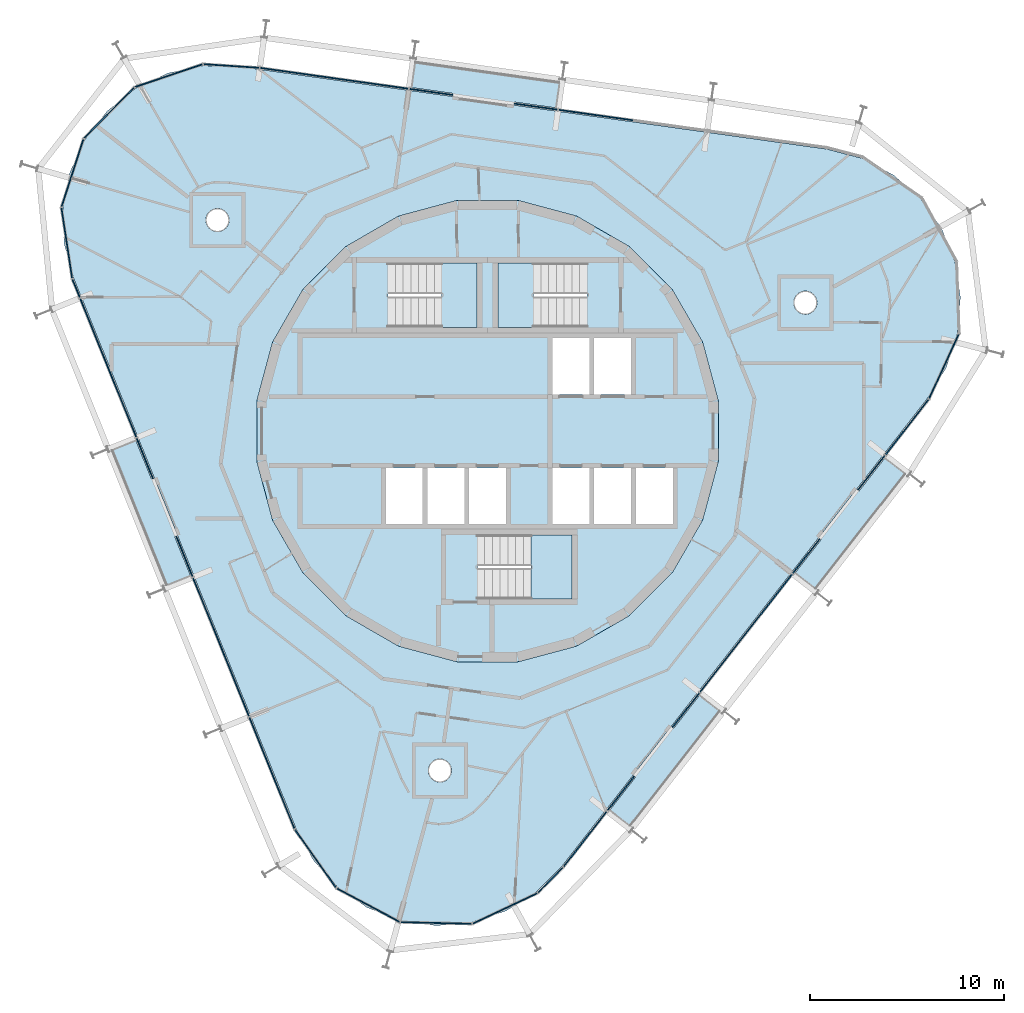
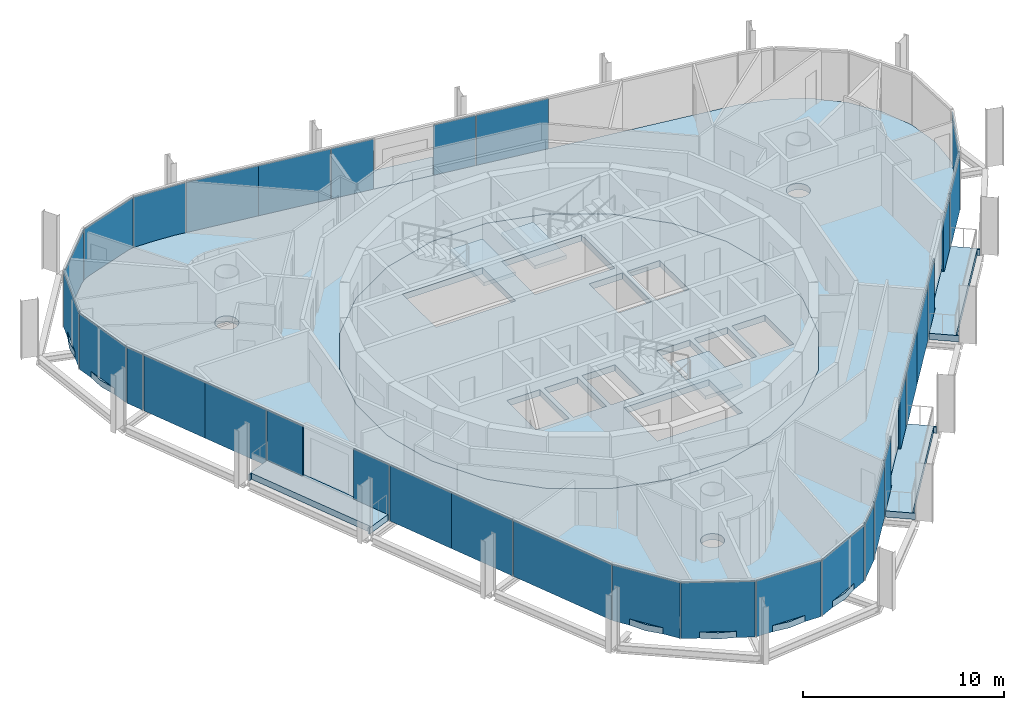
# One storey, part 8 of 15: 32 plates, 9 slabs, 9 elements without a shape of their own.
"""IFC4 building model written with IfcOpenShell, lengths in metres."""

from ifc_helpers import new_model, si_unit, direction, frame, origin, origin_2d, place, context, subcontext, project, spatial, polyline, rectangle, outline, extrude, material, layer, layer_set, type_object, element, aggregate, save


model = new_model("IFC4")

# Units and contexts
model_context = context("Model", 3, precision=1e-05, world=origin(), true_north=direction((0.0, 1.0)))
body_context = subcontext(model_context, "Body", "Model", "MODEL_VIEW")
ifc_project = project(units=[si_unit("LENGTHUNIT", "METRE"), si_unit("AREAUNIT", "SQUARE_METRE"), si_unit("VOLUMEUNIT", "CUBIC_METRE"), si_unit("PLANEANGLEUNIT", "RADIAN"), si_unit("MASSUNIT", "GRAM", prefix="KILO")], contexts=[model_context])

# Site, building, storey
site_placement = place(None, origin())
site = spatial("IfcSite", under=ifc_project, at=site_placement, CompositionType="ELEMENT")
building_placement = place(site_placement, origin())
building = spatial("IfcBuilding", under=site, at=building_placement, Name="Spindle Arch Residences", CompositionType="ELEMENT")
storey_placement = place(building_placement, frame((0.0, 0.0, 354.0)))
storey = spatial("IfcBuildingStorey", under=building, at=storey_placement, Name="L91", CompositionType="ELEMENT", Elevation=354.0)

# Slabs
ifc_material_1 = material(Name="Concrete C40/50", Category="concrete")
ifc_layer_1 = layer(ifc_material_1, 0.3798828125)
ifc_layer_set_1 = layer_set([ifc_layer_1], Name="Balcony slab 380")
slab_type_1 = type_object("IfcSlabType", Name="Balcony slab 380", PredefinedType="FLOOR", material=ifc_layer_set_1)
slab_1_placement = place(storey_placement, frame((0.0, 0.0, -0.3798828125)))
element("IfcSlab", 1, at=slab_1_placement, inside=storey, type_object=slab_type_1, Name="Balcony L91 bay 1", PredefinedType="FLOOR", context=body_context, shape_type="SweptSolid", body=[
    extrude(outline(polyline([(17.005615234375, -8.263916015625), (17.052001953125, -8.204833984375), (16.93359375, -8.1123046875), (21.530029296875, -2.2294921875), (21.648193359375, -2.32177734375), (21.6943359375, -2.2626953125), (20.520263671875, -1.34521484375), (19.160888671875, -3.085205078125), (19.034912109375, -2.986572265625), (17.064697265625, -5.50830078125), (17.19091796875, -5.606689453125), (15.83154296875, -7.346435546875), (17.005615234375, -8.263916015625)])), origin(), (0.0, 0.0, 1.0), 0.3798828125),
])
slab_2_placement = place(storey_placement, frame((0.0, 0.0, -0.3798828125)))
element("IfcSlab", 2, at=slab_2_placement, inside=storey, type_object=slab_type_1, Name="Balcony L91 bay 7", PredefinedType="FLOOR", context=body_context, shape_type="SweptSolid", body=[
    extrude(outline(polyline([(3.780517578125, 18.138916015625), (3.706298828125, 18.149169921875), (3.685302734375, 18.000732421875), (-3.70751953125, 19.039794921875), (-3.686767578125, 19.188232421875), (-3.760986328125, 19.19873046875), (-3.96826171875, 17.72314453125), (-1.781982421875, 17.416015625), (-1.80419921875, 17.257568359375), (1.364501953125, 16.81201171875), (1.38671875, 16.970458984375), (3.5732421875, 16.663330078125), (3.780517578125, 18.138916015625)])), origin(), (0.0, 0.0, 1.0), 0.3798828125),
])
slab_3_placement = place(storey_placement, frame((0.0, 0.0, -0.3798828125)))
element("IfcSlab", 3, at=slab_3_placement, inside=storey, type_object=slab_type_1, Name="Balcony L91 bay 13", PredefinedType="FLOOR", context=body_context, shape_type="SweptSolid", body=[
    extrude(outline(polyline([(-19.538330078125, -0.995361328125), (-19.51025390625, -1.06494140625), (-19.37109375, -1.008544921875), (-16.574462890625, -7.9306640625), (-16.713623046875, -7.98681640625), (-16.685302734375, -8.056396484375), (-15.303955078125, -7.498291015625), (-16.130859375, -5.451171875), (-15.982666015625, -5.391357421875), (-17.181396484375, -2.42431640625), (-17.32958984375, -2.484130859375), (-18.15673828125, -0.437255859375), (-19.538330078125, -0.995361328125)])), origin(), (0.0, 0.0, 1.0), 0.3798828125),
])
slab_4_placement = place(storey_placement, frame((0.0, 0.0, -0.3798828125)))
element("IfcSlab", 4, at=slab_4_placement, inside=storey, type_object=slab_type_1, Name="Balcony L91 bay 19", PredefinedType="FLOOR", context=body_context, shape_type="SweptSolid", body=[
    extrude(outline(polyline([(7.44384765625, -20.50244140625), (7.489990234375, -20.443359375), (7.371826171875, -20.35107421875), (11.968017578125, -14.46826171875), (12.086181640625, -14.560546875), (12.13232421875, -14.50146484375), (10.958251953125, -13.583984375), (9.59912109375, -15.32373046875), (9.472900390625, -15.225341796875), (7.5029296875, -17.7470703125), (7.62890625, -17.845458984375), (6.269775390625, -19.585205078125), (7.44384765625, -20.50244140625)])), origin(), (0.0, 0.0, 1.0), 0.3798828125),
])
ifc_material_2 = material(Name="Concrete C50/60", Category="concrete")
ifc_layer_2 = layer(ifc_material_2, 0.3798828125)
ifc_layer_set_2 = layer_set([ifc_layer_2], Name="Core floor slab 380")
slab_type_2 = type_object("IfcSlabType", Name="Core floor slab 380", PredefinedType="FLOOR", material=ifc_layer_set_2)
slab_5_placement = place(storey_placement, frame((0.0, 0.0, -0.3798828125)))
element("IfcSlab", 5, at=slab_5_placement, inside=storey, type_object=slab_type_2, Name="Core floor L91", PredefinedType="FLOOR", context=body_context, shape_type="SweptSolid", body=[
    extrude(outline(polyline([(1.56640625, -11.897216796875), (4.59228515625, -11.086669921875), (7.30517578125, -9.520263671875), (9.520263671875, -7.30517578125), (11.086669921875, -4.59228515625), (11.897216796875, -1.56640625), (11.897216796875, 1.56640625), (11.086669921875, 4.59228515625), (9.520263671875, 7.30517578125), (7.30517578125, 9.520263671875), (4.59228515625, 11.086669921875), (1.56640625, 11.897216796875), (-1.56640625, 11.897216796875), (-4.59228515625, 11.086669921875), (-7.30517578125, 9.520263671875), (-9.520263671875, 7.30517578125), (-11.086669921875, 4.59228515625), (-11.897216796875, 1.56640625), (-11.897216796875, -1.56640625), (-11.086669921875, -4.59228515625), (-9.520263671875, -7.30517578125), (-7.30517578125, -9.520263671875), (-4.59228515625, -11.086669921875), (-1.56640625, -11.897216796875), (1.56640625, -11.897216796875)]), holes=[polyline([(3.35009765625, 1.89990234375), (5.25, 1.89990234375), (5.25, 4.800048828125), (3.35009765625, 4.800048828125), (3.35009765625, 1.89990234375)]), polyline([(5.5, 1.89990234375), (7.39990234375, 1.89990234375), (7.39990234375, 4.800048828125), (5.5, 4.800048828125), (5.5, 1.89990234375)]), polyline([(-5.25, -4.800048828125), (-3.35009765625, -4.800048828125), (-3.35009765625, -1.89990234375), (-5.25, -1.89990234375), (-5.25, -4.800048828125)]), polyline([(-3.10009765625, -4.800048828125), (-1.199951171875, -4.800048828125), (-1.199951171875, -1.89990234375), (-3.10009765625, -1.89990234375), (-3.10009765625, -4.800048828125)]), polyline([(-0.949951171875, -4.800048828125), (0.949951171875, -4.800048828125), (0.949951171875, -1.89990234375), (-0.949951171875, -1.89990234375), (-0.949951171875, -4.800048828125)]), polyline([(3.35009765625, -4.800048828125), (5.25, -4.800048828125), (5.25, -1.89990234375), (3.35009765625, -1.89990234375), (3.35009765625, -4.800048828125)]), polyline([(5.5, -4.800048828125), (7.39990234375, -4.800048828125), (7.39990234375, -1.89990234375), (5.5, -1.89990234375), (5.5, -4.800048828125)]), polyline([(7.64990234375, -4.800048828125), (9.550048828125, -4.800048828125), (9.550048828125, -1.89990234375), (7.64990234375, -1.89990234375), (7.64990234375, -4.800048828125)]), polyline([(5.1298828125, 8.669921875), (0.550048828125, 8.669921875), (0.550048828125, 5.35009765625), (5.1298828125, 5.35009765625), (5.1298828125, 8.669921875)]), polyline([(-5.1298828125, 5.35009765625), (-0.550048828125, 5.35009765625), (-0.550048828125, 8.669921875), (-5.1298828125, 8.669921875), (-5.1298828125, 5.35009765625)]), polyline([(-0.530029296875, -8.669921875), (4.35009765625, -8.669921875), (4.35009765625, -5.35009765625), (-0.530029296875, -5.35009765625), (-0.530029296875, -8.669921875)])]), origin(), (0.0, 0.0, 1.0), 0.3798828125),
])

# Stair, slab
ifc_material_3 = material(Name="Concrete C50/60", Category="concrete")
stair_type = type_object("IfcStairType", Name="Exit stair 16 risers", PredefinedType="HALF_TURN_STAIR", material=ifc_material_3)
stair_1_placement = place(storey_placement, origin())
stair_1 = element("IfcStair", 6, at=stair_1_placement, inside=storey, type_object=stair_type, Name="L91 Exit stair ST1", PredefinedType="HALF_TURN_STAIR")
ifc_material_4 = material(Name="Concrete C50/60", Category="concrete")
ifc_layer_3 = layer(ifc_material_4, 0.219970703125)
ifc_layer_set_3 = layer_set([ifc_layer_3], Name="Exit stair landing 220")
slab_type_3 = type_object("IfcSlabType", Name="Exit stair landing 220", PredefinedType="LANDING", material=ifc_layer_set_3)
slab_6_placement = place(storey_placement, frame((0.0, 0.0, 1.530029296875)))
slab_6 = element("IfcSlab", 7, at=slab_6_placement, type_object=slab_type_3, Name="ST1 landing 1", PredefinedType="LANDING", context=body_context, shape_type="SweptSolid", body=[
    extrude(outline(polyline([(2.3701171875, 8.669921875), (0.550048828125, 8.669921875), (0.550048828125, 5.35009765625), (2.3701171875, 5.35009765625), (2.3701171875, 8.669921875)])), origin(), (0.0, 0.0, 1.0), 0.219970703125),
])
aggregate(stair_1, [slab_6])

stair_2_placement = place(storey_placement, origin())
stair_2 = element("IfcStair", 8, at=stair_2_placement, inside=storey, type_object=stair_type, Name="L91 Exit stair ST2", PredefinedType="HALF_TURN_STAIR")
slab_7_placement = place(storey_placement, frame((0.0, 0.0, 1.530029296875)))
slab_7 = element("IfcSlab", 9, at=slab_7_placement, type_object=slab_type_3, Name="ST2 landing 1", PredefinedType="LANDING", context=body_context, shape_type="SweptSolid", body=[
    extrude(outline(polyline([(-2.3701171875, 5.35009765625), (-0.550048828125, 5.35009765625), (-0.550048828125, 8.669921875), (-2.3701171875, 8.669921875), (-2.3701171875, 5.35009765625)])), origin(), (0.0, 0.0, 1.0), 0.219970703125),
])
aggregate(stair_2, [slab_7])

stair_3_placement = place(storey_placement, origin())
stair_3 = element("IfcStair", 10, at=stair_3_placement, inside=storey, type_object=stair_type, Name="L91 Exit stair ST3", PredefinedType="HALF_TURN_STAIR")
slab_8_placement = place(storey_placement, frame((0.0, 0.0, 1.530029296875)))
slab_8 = element("IfcSlab", 11, at=slab_8_placement, type_object=slab_type_3, Name="ST3 landing 1", PredefinedType="LANDING", context=body_context, shape_type="SweptSolid", body=[
    extrude(outline(polyline([(2.22998046875, -8.669921875), (4.35009765625, -8.669921875), (4.35009765625, -5.35009765625), (2.22998046875, -5.35009765625), (2.22998046875, -8.669921875)])), origin(), (0.0, 0.0, 1.0), 0.219970703125),
])
aggregate(stair_3, [slab_8])

# Slab
ifc_material_5 = material(Name="Concrete C40/50", Category="concrete")
ifc_layer_4 = layer(ifc_material_5, 0.3798828125)
ifc_layer_set_4 = layer_set([ifc_layer_4], Name="Floor slab 380")
slab_type_4 = type_object("IfcSlabType", Name="Floor slab 380", PredefinedType="FLOOR", material=ifc_layer_set_4)
slab_9_placement = place(storey_placement, frame((0.0, 0.0, -0.3798828125)))
element("IfcSlab", 12, at=slab_9_placement, inside=storey, type_object=slab_type_4, Name="Floor slab L91", PredefinedType="FLOOR", context=body_context, shape_type="SweptSolid", body=[
    extrude(outline(polyline([(2.5380859375, -23.751220703125), (0.962890625, -24.735595703125), (-0.796875, -25.330078125), (-2.646240234375, -25.502685546875), (-4.485595703125, -25.244140625), (-6.2158203125, -24.568359375), (-7.74365234375, -23.511962890625), (-8.986572265625, -22.131591796875), (-9.877685546875, -20.501708984375), (-21.346923828125, 7.885986328125), (-21.838134765625, 9.677490234375), (-21.903076171875, 11.53369140625), (-21.5380859375, 13.35498046875), (-20.7626953125, 15.043212890625), (-19.619140625, 16.5068359375), (-18.1689453125, 17.667236328125), (-16.489990234375, 18.462158203125), (-14.673095703125, 18.848388671875), (-12.816162109375, 18.80517578125), (17.503173828125, 14.5439453125), (19.300048828125, 14.07373046875), (20.940185546875, 13.20166015625), (22.334716796875, 11.974853515625), (23.4091796875, 10.459716796875), (24.10498046875, 8.7373046875), (24.384765625, 6.901123046875), (24.233642578125, 5.0498046875), (23.65966796875, 3.283203125), (22.69384765625, 1.696533203125), (13.268798828125, -10.36669921875), (3.843994140625, -22.43017578125), (2.5380859375, -23.751220703125)]), holes=[polyline([(7.30517578125, -9.520263671875), (9.520263671875, -7.30517578125), (11.086669921875, -4.59228515625), (11.897216796875, -1.56640625), (11.897216796875, 1.56640625), (11.086669921875, 4.59228515625), (9.520263671875, 7.30517578125), (7.30517578125, 9.520263671875), (4.59228515625, 11.086669921875), (1.56640625, 11.897216796875), (-1.56640625, 11.897216796875), (-4.59228515625, 11.086669921875), (-7.30517578125, 9.520263671875), (-9.520263671875, 7.30517578125), (-11.086669921875, 4.59228515625), (-11.897216796875, 1.56640625), (-11.897216796875, -1.56640625), (-11.086669921875, -4.59228515625), (-9.520263671875, -7.30517578125), (-7.30517578125, -9.520263671875), (-4.59228515625, -11.086669921875), (-1.56640625, -11.897216796875), (1.56640625, -11.897216796875), (4.59228515625, -11.086669921875), (7.30517578125, -9.520263671875)]), polyline([(-1.961181640625, -17.838134765625), (-1.90576171875, -17.734375), (-1.87158203125, -17.621826171875), (-1.860107421875, -17.5048828125), (-1.87158203125, -17.3876953125), (-1.90576171875, -17.275146484375), (-1.961181640625, -17.17138671875), (-2.035888671875, -17.08056640625), (-2.126708984375, -17.005859375), (-2.23046875, -16.950439453125), (-2.343017578125, -16.916259765625), (-2.460205078125, -16.90478515625), (-2.5771484375, -16.916259765625), (-2.689697265625, -16.950439453125), (-2.79345703125, -17.005859375), (-2.884521484375, -17.08056640625), (-2.958984375, -17.17138671875), (-3.014404296875, -17.275146484375), (-3.048583984375, -17.3876953125), (-3.06005859375, -17.5048828125), (-3.048583984375, -17.621826171875), (-3.014404296875, -17.734375), (-2.958984375, -17.838134765625), (-2.884521484375, -17.92919921875), (-2.79345703125, -18.003662109375), (-2.689697265625, -18.05908203125), (-2.5771484375, -18.09326171875), (-2.460205078125, -18.104736328125), (-2.343017578125, -18.09326171875), (-2.23046875, -18.05908203125), (-2.126708984375, -18.003662109375), (-2.035888671875, -17.92919921875), (-1.961181640625, -17.838134765625)]), polyline([(-13.505126953125, 10.458740234375), (-13.4306640625, 10.5498046875), (-13.375244140625, 10.6533203125), (-13.341064453125, 10.765869140625), (-13.32958984375, 10.883056640625), (-13.341064453125, 11.0), (-13.375244140625, 11.112548828125), (-13.4306640625, 11.21630859375), (-13.505126953125, 11.307373046875), (-13.59619140625, 11.3818359375), (-13.699951171875, 11.437255859375), (-13.8125, 11.471435546875), (-13.929443359375, 11.48291015625), (-14.046630859375, 11.471435546875), (-14.1591796875, 11.437255859375), (-14.2626953125, 11.3818359375), (-14.353759765625, 11.307373046875), (-14.428466796875, 11.21630859375), (-14.48388671875, 11.112548828125), (-14.51806640625, 11.0), (-14.529541015625, 10.883056640625), (-14.51806640625, 10.765869140625), (-14.48388671875, 10.6533203125), (-14.428466796875, 10.5498046875), (-14.353759765625, 10.458740234375), (-14.2626953125, 10.384033203125), (-14.1591796875, 10.32861328125), (-14.046630859375, 10.29443359375), (-13.929443359375, 10.282958984375), (-13.8125, 10.29443359375), (-13.699951171875, 10.32861328125), (-13.59619140625, 10.384033203125), (-13.505126953125, 10.458740234375)]), polyline([(16.81396484375, 6.197509765625), (16.888671875, 6.28857421875), (16.944091796875, 6.392333984375), (16.978271484375, 6.5048828125), (16.98974609375, 6.621826171875), (16.978271484375, 6.739013671875), (16.944091796875, 6.8515625), (16.888671875, 6.955078125), (16.81396484375, 7.046142578125), (16.722900390625, 7.120849609375), (16.619384765625, 7.17626953125), (16.5068359375, 7.21044921875), (16.3896484375, 7.221923828125), (16.272705078125, 7.21044921875), (16.16015625, 7.17626953125), (16.056396484375, 7.120849609375), (15.96533203125, 7.046142578125), (15.890869140625, 6.955078125), (15.83544921875, 6.8515625), (15.80126953125, 6.739013671875), (15.789794921875, 6.621826171875), (15.80126953125, 6.5048828125), (15.83544921875, 6.392333984375), (15.890869140625, 6.28857421875), (15.96533203125, 6.197509765625), (16.056396484375, 6.123046875), (16.16015625, 6.067626953125), (16.272705078125, 6.033447265625), (16.3896484375, 6.02197265625), (16.5068359375, 6.033447265625), (16.619384765625, 6.067626953125), (16.722900390625, 6.123046875), (16.81396484375, 6.197509765625)])]), origin(), (0.0, 0.0, 1.0), 0.3798828125),
])

# Curtain wall, plates
ifc_material_6 = material(Name="Aluminium bronze unitised frame with tinted glass", Category="aluminium")
ifc_layer_5 = layer(ifc_material_6, 0.159912109375)
ifc_layer_set_5 = layer_set([ifc_layer_5], Name="CW-D corner wall on the fillet arcs")
curtain_wall_type_1 = type_object("IfcCurtainWallType", Name="CW-D corner wall on the fillet arcs", PredefinedType="NOTDEFINED", material=ifc_layer_set_5)
curtain_wall_1_placement = place(storey_placement, origin())
curtain_wall_1 = element("IfcCurtainWall", 13, at=curtain_wall_1_placement, inside=storey, type_object=curtain_wall_type_1, Name="CW-D L91 run 1", PredefinedType="NOTDEFINED")
ifc_material_7 = material(Name="Tinted double glazing over aluminium faced non-combustible spandrel zone (K0)", Category="aluminium")
ifc_layer_6 = layer(ifc_material_7, 0.06005859375)
ifc_layer_set_6 = layer_set([ifc_layer_6], Name="Unitised glass panel with E 60 spandrel zone")
plate_type = type_object("IfcPlateType", Name="Unitised glass panel with E 60 spandrel zone", PredefinedType="CURTAIN_PANEL", material=ifc_layer_set_6)
plate_1_placement = place(storey_placement, frame((21.630126953125, 0.205078125, -0.3798828125), z_axis=(0.0, 0.0, 1.0), x_axis=(0.615661475326, 0.788010753607, 0.0)))
plate_1 = element("IfcPlate", 14, at=plate_1_placement, type_object=plate_type, Name="CW-D unit 00", PredefinedType="CURTAIN_PANEL", context=body_context, shape_type="SweptSolid", body=[
    extrude(rectangle(XDim=3.60009765625, YDim=0.06005859375, at=origin_2d()), origin(), (0.0, 0.0, 1.0), 3.3798828125),
])
plate_2_placement = place(storey_placement, frame((23.534423828125, 3.340576171875, -0.3798828125), z_axis=(0.0, 0.0, 1.0), x_axis=(0.417338452362, 0.908751129947, 0.0)))
plate_2 = element("IfcPlate", 15, at=plate_2_placement, type_object=plate_type, Name="CW-D unit 01", PredefinedType="CURTAIN_PANEL", context=body_context, shape_type="SweptSolid", body=[
    extrude(rectangle(XDim=3.666748046875, YDim=0.06005859375, at=origin_2d()), origin(), (0.0, 0.0, 1.0), 3.3798828125),
])
aggregate(curtain_wall_1, [plate_1, plate_2])

ifc_material_8 = material(Name="Aluminium bronze unitised frame with tinted glass", Category="aluminium")
ifc_layer_7 = layer(ifc_material_8, 0.159912109375)
ifc_layer_set_7 = layer_set([ifc_layer_7], Name="CW-C typical residential unitised wall")
curtain_wall_type_2 = type_object("IfcCurtainWallType", Name="CW-C typical residential unitised wall", PredefinedType="NOTDEFINED", material=ifc_layer_set_7)
curtain_wall_2_placement = place(storey_placement, origin())
curtain_wall_2 = element("IfcCurtainWall", 16, at=curtain_wall_2_placement, inside=storey, type_object=curtain_wall_type_2, Name="CW-C L91 run 2", PredefinedType="NOTDEFINED")
plate_3_placement = place(storey_placement, frame((5.57373046875, 16.30126953125, -0.3798828125), z_axis=(0.0, 0.0, 1.0), x_axis=(-0.990268068742, 0.13917310096, 0.0)))
plate_3 = element("IfcPlate", 17, at=plate_3_placement, type_object=plate_type, Name="CW-C unit 05B", PredefinedType="CURTAIN_PANEL", context=body_context, shape_type="SweptSolid", body=[
    extrude(rectangle(XDim=3.852783203125, YDim=0.06005859375, at=origin_2d()), origin(), (0.0, 0.0, 1.0), 3.3798828125),
])
plate_4_placement = place(storey_placement, frame((2.4912109375, 16.734619140625, -0.3798828125), z_axis=(0.0, 0.0, 1.0), x_axis=(-0.990268068742, 0.13917310096, 0.0)))
plate_4 = element("IfcPlate", 18, at=plate_4_placement, type_object=plate_type, Name="CW-C unit 06L", PredefinedType="CURTAIN_PANEL", context=body_context, shape_type="SweptSolid", body=[
    extrude(rectangle(XDim=2.252685546875, YDim=0.06005859375, at=origin_2d()), origin(), (0.0, 0.0, 1.0), 3.3798828125),
])
plate_5_placement = place(storey_placement, frame((-2.90869140625, 17.493408203125, -0.3798828125), z_axis=(0.0, 0.0, 1.0), x_axis=(-0.990268068742, 0.13917310096, 0.0)))
plate_5 = element("IfcPlate", 19, at=plate_5_placement, type_object=plate_type, Name="CW-C unit 06R", PredefinedType="CURTAIN_PANEL", context=body_context, shape_type="SweptSolid", body=[
    extrude(rectangle(XDim=2.252685546875, YDim=0.06005859375, at=origin_2d()), origin(), (0.0, 0.0, 1.0), 3.3798828125),
])
plate_6_placement = place(storey_placement, frame((-5.9912109375, 17.9267578125, -0.3798828125), z_axis=(0.0, 0.0, 1.0), x_axis=(-0.990268068742, 0.13917310096, 0.0)))
plate_6 = element("IfcPlate", 20, at=plate_6_placement, type_object=plate_type, Name="CW-C unit 07A", PredefinedType="CURTAIN_PANEL", context=body_context, shape_type="SweptSolid", body=[
    extrude(rectangle(XDim=3.852783203125, YDim=0.06005859375, at=origin_2d()), origin(), (0.0, 0.0, 1.0), 3.3798828125),
])
plate_7_placement = place(storey_placement, frame((-9.806396484375, 18.462890625, -0.3798828125), z_axis=(0.0, 0.0, 1.0), x_axis=(-0.990268068742, 0.13917310096, 0.0)))
plate_7 = element("IfcPlate", 21, at=plate_7_placement, type_object=plate_type, Name="CW-C unit 07B", PredefinedType="CURTAIN_PANEL", context=body_context, shape_type="SweptSolid", body=[
    extrude(rectangle(XDim=3.852783203125, YDim=0.06005859375, at=origin_2d()), origin(), (0.0, 0.0, 1.0), 3.3798828125),
])
aggregate(curtain_wall_2, [plate_3, plate_4, plate_5, plate_6, plate_7])

curtain_wall_3_placement = place(storey_placement, origin())
curtain_wall_3 = element("IfcCurtainWall", 22, at=curtain_wall_3_placement, inside=storey, type_object=curtain_wall_type_1, Name="CW-D L91 run 3", PredefinedType="NOTDEFINED")
plate_8_placement = place(storey_placement, frame((-13.212158203125, 18.83154296875, -0.3798828125), z_axis=(0.0, 0.0, 1.0), x_axis=(-0.99785193122, 0.065509719587, 0.0)))
plate_8 = element("IfcPlate", 23, at=plate_8_placement, type_object=plate_type, Name="CW-D unit 00", PredefinedType="CURTAIN_PANEL", context=body_context, shape_type="SweptSolid", body=[
    extrude(rectangle(XDim=2.883056640625, YDim=0.06005859375, at=origin_2d()), origin(), (0.0, 0.0, 1.0), 3.3798828125),
])
plate_9_placement = place(storey_placement, frame((-16.446044921875, 18.33154296875, -0.3798828125), z_axis=(0.0, 0.0, 1.0), x_axis=(-0.947396640541, -0.320061877599, 0.0)))
plate_9 = element("IfcPlate", 24, at=plate_9_placement, type_object=plate_type, Name="CW-D unit 01", PredefinedType="CURTAIN_PANEL", context=body_context, shape_type="SweptSolid", body=[
    extrude(rectangle(XDim=3.666748046875, YDim=0.06005859375, at=origin_2d()), origin(), (0.0, 0.0, 1.0), 3.3798828125),
])
plate_10_placement = place(storey_placement, frame((-19.521240234375, 16.409912109375, -0.3798828125), z_axis=(0.0, 0.0, 1.0), x_axis=(-0.702981055369, -0.711208574043, 0.0)))
plate_10 = element("IfcPlate", 25, at=plate_10_placement, type_object=plate_type, Name="CW-D unit 02", PredefinedType="CURTAIN_PANEL", context=body_context, shape_type="SweptSolid", body=[
    extrude(rectangle(XDim=3.666748046875, YDim=0.06005859375, at=origin_2d()), origin(), (0.0, 0.0, 1.0), 3.3798828125),
])
plate_11_placement = place(storey_placement, frame((-21.406982421875, 13.3125, -0.3798828125), z_axis=(0.0, 0.0, 1.0), x_axis=(-0.309016990673, -0.951056517498, 0.0)))
plate_11 = element("IfcPlate", 26, at=plate_11_placement, type_object=plate_type, Name="CW-D unit 03", PredefinedType="CURTAIN_PANEL", context=body_context, shape_type="SweptSolid", body=[
    extrude(rectangle(XDim=3.666748046875, YDim=0.06005859375, at=origin_2d()), origin(), (0.0, 0.0, 1.0), 3.3798828125),
])
plate_12_placement = place(storey_placement, frame((-21.701904296875, 9.6982421875, -0.3798828125), z_axis=(0.0, 0.0, 1.0), x_axis=(0.150685718984, -0.988581718471, 0.0)))
plate_12 = element("IfcPlate", 27, at=plate_12_placement, type_object=plate_type, Name="CW-D unit 04", PredefinedType="CURTAIN_PANEL", context=body_context, shape_type="SweptSolid", body=[
    extrude(rectangle(XDim=3.666748046875, YDim=0.06005859375, at=origin_2d()), origin(), (0.0, 0.0, 1.0), 3.3798828125),
])
plate_13_placement = place(storey_placement, frame((-21.220458984375, 7.359375, -0.3798828125), z_axis=(0.0, 0.0, 1.0), x_axis=(0.374606593416, -0.927183854567, 0.0)))
plate_13 = element("IfcPlate", 28, at=plate_13_placement, type_object=plate_type, Name="CW-D unit 05", PredefinedType="CURTAIN_PANEL", context=body_context, shape_type="SweptSolid", body=[
    extrude(rectangle(XDim=1.01171875, YDim=0.06005859375, at=origin_2d()), origin(), (0.0, 0.0, 1.0), 3.3798828125),
])
aggregate(curtain_wall_3, [plate_8, plate_9, plate_10, plate_11, plate_12, plate_13])

curtain_wall_4_placement = place(storey_placement, origin())
curtain_wall_4 = element("IfcCurtainWall", 29, at=curtain_wall_4_placement, inside=storey, type_object=curtain_wall_type_2, Name="CW-C L91 run 4", PredefinedType="NOTDEFINED")
plate_14_placement = place(storey_placement, frame((-20.286865234375, 5.048583984375, -0.3798828125), z_axis=(0.0, 0.0, 1.0), x_axis=(0.374606593416, -0.927183854567, 0.0)))
plate_14 = element("IfcPlate", 30, at=plate_14_placement, type_object=plate_type, Name="CW-C unit 11A", PredefinedType="CURTAIN_PANEL", context=body_context, shape_type="SweptSolid", body=[
    extrude(rectangle(XDim=3.852783203125, YDim=0.06005859375, at=origin_2d()), origin(), (0.0, 0.0, 1.0), 3.3798828125),
])
plate_15_placement = place(storey_placement, frame((-18.843505859375, 1.476318359375, -0.3798828125), z_axis=(0.0, 0.0, 1.0), x_axis=(0.374606593416, -0.927183854567, 0.0)))
plate_15 = element("IfcPlate", 31, at=plate_15_placement, type_object=plate_type, Name="CW-C unit 11B", PredefinedType="CURTAIN_PANEL", context=body_context, shape_type="SweptSolid", body=[
    extrude(rectangle(XDim=3.852783203125, YDim=0.06005859375, at=origin_2d()), origin(), (0.0, 0.0, 1.0), 3.3798828125),
])
plate_16_placement = place(storey_placement, frame((-17.677490234375, -1.409912109375, -0.3798828125), z_axis=(0.0, 0.0, 1.0), x_axis=(0.374606593416, -0.927183854567, 0.0)))
plate_16 = element("IfcPlate", 32, at=plate_16_placement, type_object=plate_type, Name="CW-C unit 12L", PredefinedType="CURTAIN_PANEL", context=body_context, shape_type="SweptSolid", body=[
    extrude(rectangle(XDim=2.252685546875, YDim=0.06005859375, at=origin_2d()), origin(), (0.0, 0.0, 1.0), 3.3798828125),
])
plate_17_placement = place(storey_placement, frame((-15.634765625, -6.465576171875, -0.3798828125), z_axis=(0.0, 0.0, 1.0), x_axis=(0.374606593416, -0.927183854567, 0.0)))
plate_17 = element("IfcPlate", 33, at=plate_17_placement, type_object=plate_type, Name="CW-C unit 12R", PredefinedType="CURTAIN_PANEL", context=body_context, shape_type="SweptSolid", body=[
    extrude(rectangle(XDim=2.252685546875, YDim=0.06005859375, at=origin_2d()), origin(), (0.0, 0.0, 1.0), 3.3798828125),
])
plate_18_placement = place(storey_placement, frame((-14.46875, -9.351806640625, -0.3798828125), z_axis=(0.0, 0.0, 1.0), x_axis=(0.374606593416, -0.927183854567, 0.0)))
plate_18 = element("IfcPlate", 34, at=plate_18_placement, type_object=plate_type, Name="CW-C unit 13A", PredefinedType="CURTAIN_PANEL", context=body_context, shape_type="SweptSolid", body=[
    extrude(rectangle(XDim=3.852783203125, YDim=0.06005859375, at=origin_2d()), origin(), (0.0, 0.0, 1.0), 3.3798828125),
])
plate_19_placement = place(storey_placement, frame((-13.025390625, -12.924072265625, -0.3798828125), z_axis=(0.0, 0.0, 1.0), x_axis=(0.374606593416, -0.927183854567, 0.0)))
plate_19 = element("IfcPlate", 35, at=plate_19_placement, type_object=plate_type, Name="CW-C unit 13B", PredefinedType="CURTAIN_PANEL", context=body_context, shape_type="SweptSolid", body=[
    extrude(rectangle(XDim=3.852783203125, YDim=0.06005859375, at=origin_2d()), origin(), (0.0, 0.0, 1.0), 3.3798828125),
])
aggregate(curtain_wall_4, [plate_14, plate_15, plate_16, plate_17, plate_18, plate_19])

curtain_wall_5_placement = place(storey_placement, origin())
curtain_wall_5 = element("IfcCurtainWall", 36, at=curtain_wall_5_placement, inside=storey, type_object=curtain_wall_type_1, Name="CW-D L91 run 5", PredefinedType="NOTDEFINED")
plate_20_placement = place(storey_placement, frame((-11.122314453125, -17.634765625, -0.3798828125), z_axis=(0.0, 0.0, 1.0), x_axis=(0.374606593416, -0.927183854567, 0.0)))
plate_20 = element("IfcPlate", 37, at=plate_20_placement, type_object=plate_type, Name="CW-D unit 00", PredefinedType="CURTAIN_PANEL", context=body_context, shape_type="SweptSolid", body=[
    extrude(rectangle(XDim=6.188720703125, YDim=0.06005859375, at=origin_2d()), origin(), (0.0, 0.0, 1.0), 3.3798828125),
])
plate_21_placement = place(storey_placement, frame((-8.8740234375, -22.0517578125, -0.3798828125), z_axis=(0.0, 0.0, 1.0), x_axis=(0.578332338584, -0.815801266332, 0.0)))
plate_21 = element("IfcPlate", 38, at=plate_21_placement, type_object=plate_type, Name="CW-D unit 01", PredefinedType="CURTAIN_PANEL", context=body_context, shape_type="SweptSolid", body=[
    extrude(rectangle(XDim=3.666748046875, YDim=0.06005859375, at=origin_2d()), origin(), (0.0, 0.0, 1.0), 3.3798828125),
])
plate_22_placement = place(storey_placement, frame((-6.151123046875, -24.44677734375, -0.3798828125), z_axis=(0.0, 0.0, 1.0), x_axis=(0.882947592408, -0.469471563633, 0.0)))
plate_22 = element("IfcPlate", 39, at=plate_22_placement, type_object=plate_type, Name="CW-D unit 02", PredefinedType="CURTAIN_PANEL", context=body_context, shape_type="SweptSolid", body=[
    extrude(rectangle(XDim=3.666748046875, YDim=0.06005859375, at=origin_2d()), origin(), (0.0, 0.0, 1.0), 3.3798828125),
])
plate_23_placement = place(storey_placement, frame((-2.64306640625, -25.364990234375, -0.3798828125), z_axis=(0.0, 0.0, 1.0), x_axis=(0.999729241109, -0.023268959422, 0.0)))
plate_23 = element("IfcPlate", 40, at=plate_23_placement, type_object=plate_type, Name="CW-D unit 03", PredefinedType="CURTAIN_PANEL", context=body_context, shape_type="SweptSolid", body=[
    extrude(rectangle(XDim=3.666748046875, YDim=0.06005859375, at=origin_2d()), origin(), (0.0, 0.0, 1.0), 3.3798828125),
])
plate_24_placement = place(storey_placement, frame((0.904052734375, -24.61083984375, -0.3798828125), z_axis=(0.0, 0.0, 1.0), x_axis=(0.903833768547, 0.427883767902, 0.0)))
plate_24 = element("IfcPlate", 41, at=plate_24_placement, type_object=plate_type, Name="CW-D unit 04", PredefinedType="CURTAIN_PANEL", context=body_context, shape_type="SweptSolid", body=[
    extrude(rectangle(XDim=3.666748046875, YDim=0.06005859375, at=origin_2d()), origin(), (0.0, 0.0, 1.0), 3.3798828125),
])
plate_25_placement = place(storey_placement, frame((3.24755859375, -23.146484375, -0.3798828125), z_axis=(0.0, 0.0, 1.0), x_axis=(0.702981053644, 0.711208575748, 0.0)))
plate_25 = element("IfcPlate", 42, at=plate_25_placement, type_object=plate_type, Name="CW-D unit 05", PredefinedType="CURTAIN_PANEL", context=body_context, shape_type="SweptSolid", body=[
    extrude(rectangle(XDim=1.816162109375, YDim=0.06005859375, at=origin_2d()), origin(), (0.0, 0.0, 1.0), 3.3798828125),
])
plate_26_placement = place(storey_placement, frame((5.03369140625, -21.037109375, -0.3798828125), z_axis=(0.0, 0.0, 1.0), x_axis=(0.615661475326, 0.788010753607, 0.0)))
plate_26 = element("IfcPlate", 43, at=plate_26_placement, type_object=plate_type, Name="CW-D unit 06", PredefinedType="CURTAIN_PANEL", context=body_context, shape_type="SweptSolid", body=[
    extrude(rectangle(XDim=3.60009765625, YDim=0.06005859375, at=origin_2d()), origin(), (0.0, 0.0, 1.0), 3.3798828125),
])
aggregate(curtain_wall_5, [plate_20, plate_21, plate_22, plate_23, plate_24, plate_25, plate_26])

curtain_wall_6_placement = place(storey_placement, origin())
curtain_wall_6 = element("IfcCurtainWall", 44, at=curtain_wall_6_placement, inside=storey, type_object=curtain_wall_type_2, Name="CW-C L91 run 6", PredefinedType="NOTDEFINED")
plate_27_placement = place(storey_placement, frame((6.872314453125, -18.683837890625, -0.3798828125), z_axis=(0.0, 0.0, 1.0), x_axis=(0.615661475326, 0.788010753607, 0.0)))
plate_27 = element("IfcPlate", 45, at=plate_27_placement, type_object=plate_type, Name="CW-C unit 18L", PredefinedType="CURTAIN_PANEL", context=body_context, shape_type="SweptSolid", body=[
    extrude(rectangle(XDim=2.252685546875, YDim=0.06005859375, at=origin_2d()), origin(), (0.0, 0.0, 1.0), 3.3798828125),
])
plate_28_placement = place(storey_placement, frame((10.2294921875, -14.386962890625, -0.3798828125), z_axis=(0.0, 0.0, 1.0), x_axis=(0.615661475326, 0.788010753607, 0.0)))
plate_28 = element("IfcPlate", 46, at=plate_28_placement, type_object=plate_type, Name="CW-C unit 18R", PredefinedType="CURTAIN_PANEL", context=body_context, shape_type="SweptSolid", body=[
    extrude(rectangle(XDim=2.252685546875, YDim=0.06005859375, at=origin_2d()), origin(), (0.0, 0.0, 1.0), 3.3798828125),
])
plate_29_placement = place(storey_placement, frame((12.14599609375, -11.93408203125, -0.3798828125), z_axis=(0.0, 0.0, 1.0), x_axis=(0.615661475326, 0.788010753607, 0.0)))
plate_29 = element("IfcPlate", 47, at=plate_29_placement, type_object=plate_type, Name="CW-C unit 19A", PredefinedType="CURTAIN_PANEL", context=body_context, shape_type="SweptSolid", body=[
    extrude(rectangle(XDim=3.852783203125, YDim=0.06005859375, at=origin_2d()), origin(), (0.0, 0.0, 1.0), 3.3798828125),
])
plate_30_placement = place(storey_placement, frame((14.517822265625, -8.89794921875, -0.3798828125), z_axis=(0.0, 0.0, 1.0), x_axis=(0.615661475326, 0.788010753607, 0.0)))
plate_30 = element("IfcPlate", 48, at=plate_30_placement, type_object=plate_type, Name="CW-C unit 19B", PredefinedType="CURTAIN_PANEL", context=body_context, shape_type="SweptSolid", body=[
    extrude(rectangle(XDim=3.852783203125, YDim=0.06005859375, at=origin_2d()), origin(), (0.0, 0.0, 1.0), 3.3798828125),
])
plate_31_placement = place(storey_placement, frame((16.434326171875, -6.445068359375, -0.3798828125), z_axis=(0.0, 0.0, 1.0), x_axis=(0.615661475326, 0.788010753607, 0.0)))
plate_31 = element("IfcPlate", 49, at=plate_31_placement, type_object=plate_type, Name="CW-C unit 00L", PredefinedType="CURTAIN_PANEL", context=body_context, shape_type="SweptSolid", body=[
    extrude(rectangle(XDim=2.252685546875, YDim=0.06005859375, at=origin_2d()), origin(), (0.0, 0.0, 1.0), 3.3798828125),
])
plate_32_placement = place(storey_placement, frame((19.79150390625, -2.148193359375, -0.3798828125), z_axis=(0.0, 0.0, 1.0), x_axis=(0.615661475326, 0.788010753607, 0.0)))
plate_32 = element("IfcPlate", 50, at=plate_32_placement, type_object=plate_type, Name="CW-C unit 00R", PredefinedType="CURTAIN_PANEL", context=body_context, shape_type="SweptSolid", body=[
    extrude(rectangle(XDim=2.252685546875, YDim=0.06005859375, at=origin_2d()), origin(), (0.0, 0.0, 1.0), 3.3798828125),
])
aggregate(curtain_wall_6, [plate_27, plate_28, plate_29, plate_30, plate_31, plate_32])

save(model, "model.ifc")
